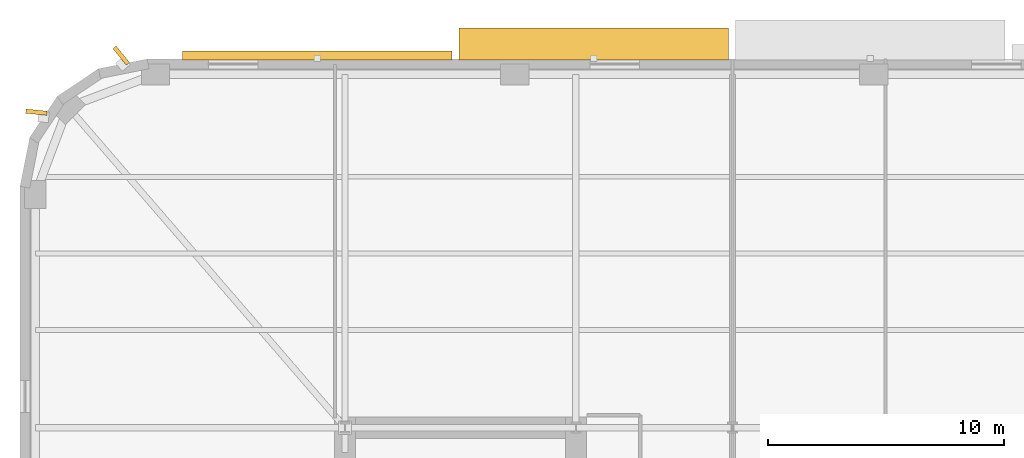
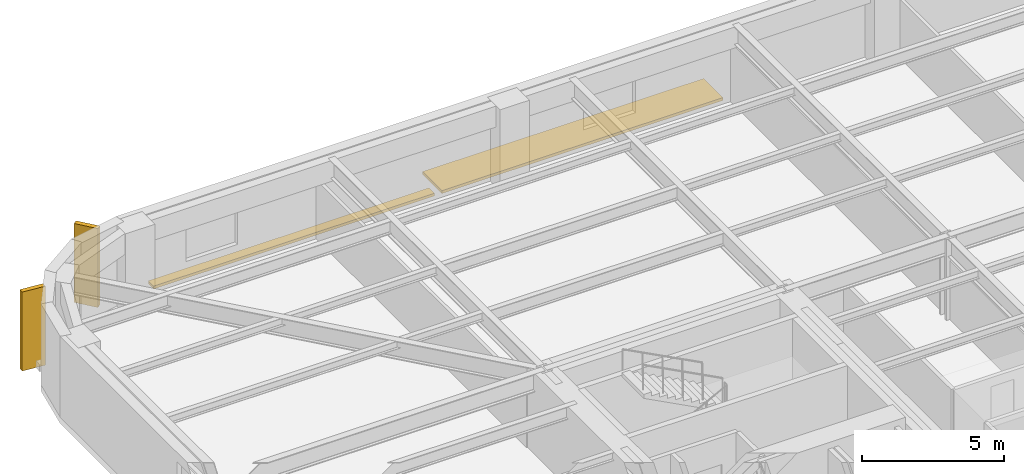
# One storey, part 13 of 15: 4 shading devices.
"""IFC4 building model written with IfcOpenShell, lengths in metres."""

from ifc_helpers import new_model, si_unit, direction, frame, origin, origin_2d, place, context, subcontext, project, spatial, rectangle, extrude, material, type_object, element, save


model = new_model("IFC4")

# Units and contexts
model_context = context("Model", 3, precision=1e-05, world=origin(), true_north=direction((0.0, 1.0)))
body_context = subcontext(model_context, "Body", "Model", "MODEL_VIEW")
ifc_project = project(units=[si_unit("LENGTHUNIT", "METRE"), si_unit("AREAUNIT", "SQUARE_METRE"), si_unit("VOLUMEUNIT", "CUBIC_METRE"), si_unit("PLANEANGLEUNIT", "RADIAN"), si_unit("MASSUNIT", "GRAM", prefix="KILO")], contexts=[model_context])

# Site, building, storey
site_placement = place(None, origin())
site = spatial("IfcSite", under=ifc_project, at=site_placement, CompositionType="ELEMENT")
building_placement = place(site_placement, origin())
building = spatial("IfcBuilding", under=site, at=building_placement, Name="Kolvaren Arena Tower", CompositionType="ELEMENT")
storey_placement = place(building_placement, frame((0.0, 0.0, 83.25)))
storey = spatial("IfcBuildingStorey", under=building, at=storey_placement, Name="L18", CompositionType="ELEMENT", Elevation=83.25)

# Shading devices
ifc_material_1 = material(Name="Precast architectural concrete C50/60 rib fin", Category="concrete")
shading_device_type_1 = type_object("IfcShadingDeviceType", Name="SHAD-FIN-28", PredefinedType="USERDEFINED", material=ifc_material_1)
for number, where, z_axis, x_axis, name in (
    (1, (5.04638671875, 49.6474609375, 0.02001953125), (0.0, 0.0, 1.0), (-0.632722898811, 0.774378288254, 0.0), "Precast 28-Deg Corner Rib Fin (L18)"),
    (2, (1.447021484375, 47.242431640625, 0.02001953125), (0.0, 0.0, 1.0), (-0.994971840066, 0.100155067151, 0.0), "Precast 28-Deg Corner Rib Fin (L18)"),
):
    element("IfcShadingDevice", number, at=place(storey_placement, frame(where, z_axis=z_axis, x_axis=x_axis)), inside=storey, type_object=shading_device_type_1, Name=name, ObjectType="FIN", PredefinedType="USERDEFINED", context=body_context, shape_type="SweptSolid", body=[
        extrude(rectangle(XDim=0.89990234375, YDim=0.179931640625, at=origin_2d()), origin(), (0.0, 0.0, 1.0), 3.39990234375),
    ])
ifc_material_2 = material(Name="Architectural precast GFRC and anodised aluminium sunshade", Category="concrete")
shading_device_type_2 = type_object("IfcShadingDeviceType", Name="SHAD-SINE-A", PredefinedType="USERDEFINED", material=ifc_material_2)
shading_device_1_placement = place(storey_placement, frame((13.3701171875, 49.641845703125, -0.14013671875), z_axis=(0.0, 0.0, 1.0), x_axis=(1.0, 0.0, 0.0)))
element("IfcShadingDevice", 3, at=shading_device_1_placement, inside=storey, type_object=shading_device_type_2, Name="Sinusoidal Slab-Edge Sunshade Louvre (L18)", ObjectType="LOUVRE", PredefinedType="USERDEFINED", context=body_context, shape_type="SweptSolid", body=[
    extrude(rectangle(XDim=11.43994140625, YDim=0.3837890625, at=origin_2d()), origin(), (0.0, 0.0, 1.0), 0.1201171875),
])
shading_device_type_3 = type_object("IfcShadingDeviceType", Name="SHAD-SINE-B", PredefinedType="JALOUSIE", material=ifc_material_2)
shading_device_2_placement = place(storey_placement, frame((25.110107421875, 50.131591796875, -0.14013671875), z_axis=(0.0, 0.0, 1.0), x_axis=(1.0, 0.0, 0.0)))
element("IfcShadingDevice", 4, at=shading_device_2_placement, inside=storey, type_object=shading_device_type_3, Name="Sinusoidal Slab-Edge Sunshade Louvre (L18)", PredefinedType="JALOUSIE", context=body_context, shape_type="SweptSolid", body=[
    extrude(rectangle(XDim=11.43994140625, YDim=1.36279296875, at=origin_2d()), origin(), (0.0, 0.0, 1.0), 0.1201171875),
])

save(model, "model.ifc")
